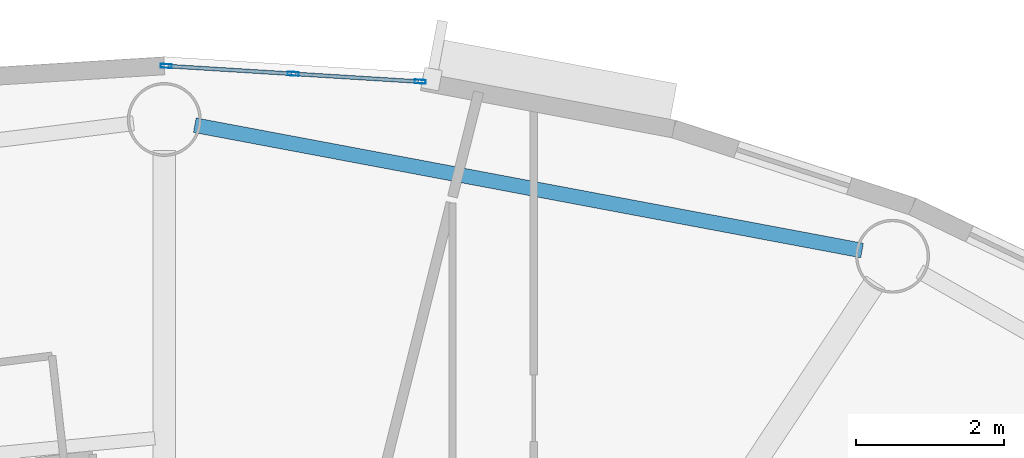
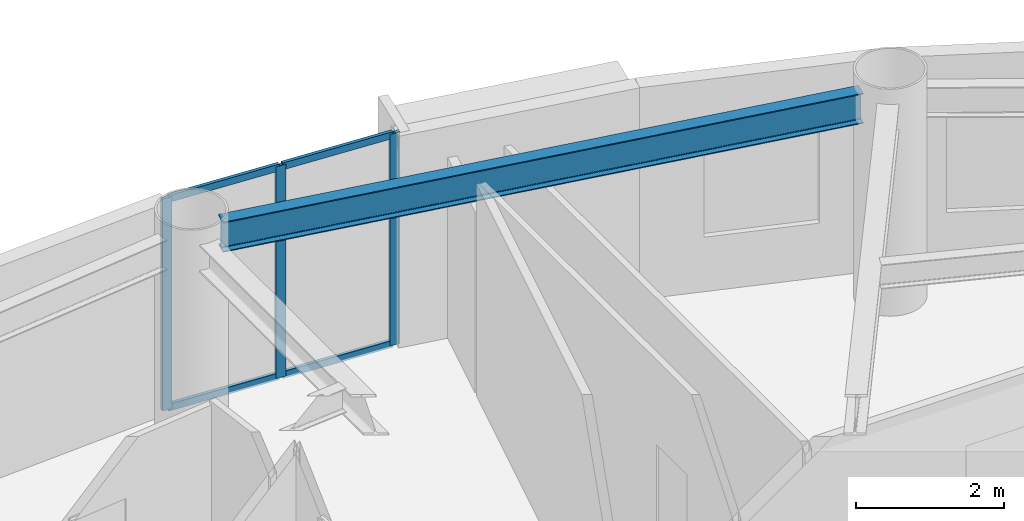
# One storey, part 4 of 17: 7 members, 1 beam, 1 element without a shape of its own.
"""IFC4 building model written with IfcOpenShell, lengths in metres."""

from ifc_helpers import new_model, si_unit, direction, frame, origin, origin_2d, place, context, subcontext, project, spatial, hollow_rectangle, i_section, extrude, source, transform, mapped, material, layer, layer_set, material_profile, profile_set, type_object, element, aggregate, save


model = new_model("IFC4")

# Units and contexts
model_context = context("Model", 3, precision=1e-05, world=origin(), true_north=direction((0.0, 1.0)))
body_context = subcontext(model_context, "Body", "Model", "MODEL_VIEW")
ifc_project = project(units=[si_unit("LENGTHUNIT", "METRE"), si_unit("AREAUNIT", "SQUARE_METRE"), si_unit("VOLUMEUNIT", "CUBIC_METRE"), si_unit("PLANEANGLEUNIT", "RADIAN"), si_unit("MASSUNIT", "GRAM", prefix="KILO")], contexts=[model_context])

# Site, building, storey
site_placement = place(None, origin())
site = spatial("IfcSite", under=ifc_project, at=site_placement, CompositionType="ELEMENT")
building_placement = place(site_placement, origin())
building = spatial("IfcBuilding", under=site, at=building_placement, Name="Linh Dai School and Residence Tower", CompositionType="ELEMENT")
storey_placement = place(building_placement, frame((0.0, 0.0, 299.25)))
storey = spatial("IfcBuildingStorey", under=building, at=storey_placement, Name="L74", CompositionType="ELEMENT", Elevation=299.25)

# Beam
ifc_material_1 = material(Name="Structural Steel S355JR", Category="steel")
ifc_material_profile_1 = material_profile(ifc_material_1, i_section(OverallWidth=0.199951171875, OverallDepth=0.5, WebThickness=0.01025390625, FlangeThickness=0.01611328125, FilletRadius=0.02099609375, at=origin_2d()), Name="IPE 500")
ifc_profile_set_1 = profile_set([ifc_material_profile_1], Name="Structural Steel S355JR")
beam_type = type_object("IfcBeamType", Name="BM-RB50", PredefinedType="BEAM", material=ifc_profile_set_1)
beam_placement = place(storey_placement, frame((45.441650390625, 41.916259765625, 3.25), z_axis=(-0.982805333306, 0.184644731378, 0.0), x_axis=(-0.184644731378, -0.982805333306, 0.0)))
element("IfcBeam", 1, at=beam_placement, inside=storey, type_object=beam_type, Name="L74 Perimeter Elliptical Ring Beam 04", PredefinedType="BEAM", context=body_context, shape_type="SweptSolid", body=[
    extrude(i_section(OverallWidth=0.199951171875, OverallDepth=0.5, WebThickness=0.01025390625, FlangeThickness=0.01611328125, FilletRadius=0.02099609375, at=origin_2d()), origin(), (0.0, 0.0, 1.0), 9.186767578125),
])

# Curtain wall, members
ifc_material_2 = material(Name="Aluminium Anodised Curtain Wall", Category="aluminium")
ifc_layer = layer(ifc_material_2, 0.14990234375)
ifc_layer_set = layer_set([ifc_layer], Name="Aluminium Anodised Curtain Wall")
curtain_wall_type = type_object("IfcCurtainWallType", Name="CW-SYS-4", PredefinedType="USERDEFINED", material=ifc_layer_set)
curtain_wall_placement = place(storey_placement, origin())
curtain_wall = element("IfcCurtainWall", 2, at=curtain_wall_placement, inside=storey, type_object=curtain_wall_type, Name="L74 CW4 Curtain Wall 10", ObjectType="RIBBON CURTAIN WALL", PredefinedType="USERDEFINED")
ifc_material_3 = material(Name="Aluminium Alloy 6063-T6", Category="aluminium")
ifc_material_profile_2 = material_profile(ifc_material_3, hollow_rectangle(XDim=0.052001953125, YDim=0.14990234375, WallThickness=0.00390625, at=origin_2d()), Name="RHS 150x52x4")
ifc_profile_set_2 = profile_set([ifc_material_profile_2], Name="Aluminium Alloy 6063-T6")
member_type_1 = type_object("IfcMemberType", Name="CW-SYS-4-MUL", PredefinedType="MULLION", material=ifc_profile_set_2)
shared_shape_1 = source(origin(), body_context, "Body", "SweptSolid", [
    extrude(hollow_rectangle(XDim=0.052001953125, YDim=0.14990234375, WallThickness=0.00390625, at=origin_2d()), origin(), (0.0, 0.0, 1.0), 3.5),
])
member_1_placement = place(storey_placement, frame((36.02587890625, 44.413330078125, 0.0), z_axis=(0.0, 0.0, 1.0), x_axis=(0.061509965157, 0.998106469364, 0.0)))
member_1 = element("IfcMember", 3, at=member_1_placement, type_object=member_type_1, Name="CW4 mullion 1", PredefinedType="MULLION", context=body_context, shape_type="MappedRepresentation", body=[
    mapped(shared_shape_1, transform((0.0, 0.0, 0.0), x_axis=(1.0, 0.0, 0.0), y_axis=(0.0, 1.0, 0.0), z_axis=(0.0, 0.0, 1.0), scale=1.0)),
])
member_2_placement = place(storey_placement, frame((37.744384765625, 44.3076171875, 0.0), z_axis=(0.0, 0.0, 1.0), x_axis=(0.061509965157, 0.998106469364, 0.0)))
member_2 = element("IfcMember", 4, at=member_2_placement, type_object=member_type_1, Name="CW4 mullion 2", PredefinedType="MULLION", context=body_context, shape_type="MappedRepresentation", body=[
    mapped(shared_shape_1, transform((0.0, 0.0, 0.0), x_axis=(1.0, 0.0, 0.0), y_axis=(0.0, 1.0, 0.0), z_axis=(0.0, 0.0, 1.0), scale=1.0)),
])
member_3_placement = place(storey_placement, frame((39.462890625, 44.20166015625, 0.0), z_axis=(0.0, 0.0, 1.0), x_axis=(0.061509965157, 0.998106469364, 0.0)))
member_3 = element("IfcMember", 5, at=member_3_placement, type_object=member_type_1, Name="CW4 mullion 3", PredefinedType="MULLION", context=body_context, shape_type="MappedRepresentation", body=[
    mapped(shared_shape_1, transform((0.0, 0.0, 0.0), x_axis=(1.0, 0.0, 0.0), y_axis=(0.0, 1.0, 0.0), z_axis=(0.0, 0.0, 1.0), scale=1.0)),
])
ifc_material_profile_3 = material_profile(ifc_material_3, hollow_rectangle(XDim=0.052001953125, YDim=0.114990234375, WallThickness=0.00390625, at=origin_2d()), Name="RHS 115x52x4")
ifc_profile_set_3 = profile_set([ifc_material_profile_3], Name="Aluminium Alloy 6063-T6")
member_type_2 = type_object("IfcMemberType", Name="CW-SYS-4-TRN", PredefinedType="USERDEFINED", material=ifc_profile_set_3)
shared_shape_2 = source(origin(), body_context, "Body", "SweptSolid", [
    extrude(hollow_rectangle(XDim=0.052001953125, YDim=0.114990234375, WallThickness=0.00390625, at=origin_2d()), origin(), (0.0, 0.0, 1.0), 1.669677734375),
])
member_4_placement = place(storey_placement, frame((36.052001953125, 44.411865234375, 0.02587890625), z_axis=(0.99810344795, -0.061558973277, 0.0), x_axis=(0.061558973277, 0.99810344795, 0.0)))
member_4 = element("IfcMember", 6, at=member_4_placement, type_object=member_type_2, Name="CW4 transom 1.1", ObjectType="TRANSOM", PredefinedType="USERDEFINED", context=body_context, shape_type="MappedRepresentation", body=[
    mapped(shared_shape_2, transform((0.0, 0.0, 0.0), x_axis=(1.0, 0.0, 0.0), y_axis=(0.0, 1.0, 0.0), z_axis=(0.0, 0.0, 1.0), scale=1.0)),
])
member_5_placement = place(storey_placement, frame((36.052001953125, 44.411865234375, 3.47412109375), z_axis=(0.99810344795, -0.061558973277, 0.0), x_axis=(0.061558973277, 0.99810344795, 0.0)))
member_5 = element("IfcMember", 7, at=member_5_placement, type_object=member_type_2, Name="CW4 transom 1.2", ObjectType="TRANSOM", PredefinedType="USERDEFINED", context=body_context, shape_type="MappedRepresentation", body=[
    mapped(shared_shape_2, transform((0.0, 0.0, 0.0), x_axis=(1.0, 0.0, 0.0), y_axis=(0.0, 1.0, 0.0), z_axis=(0.0, 0.0, 1.0), scale=1.0)),
])
member_6_placement = place(storey_placement, frame((37.770263671875, 44.305908203125, 0.02587890625), z_axis=(0.99810344795, -0.061558973277, 0.0), x_axis=(0.061558973277, 0.99810344795, 0.0)))
member_6 = element("IfcMember", 8, at=member_6_placement, type_object=member_type_2, Name="CW4 transom 2.1", ObjectType="TRANSOM", PredefinedType="USERDEFINED", context=body_context, shape_type="MappedRepresentation", body=[
    mapped(shared_shape_2, transform((0.0, 0.0, 0.0), x_axis=(1.0, 0.0, 0.0), y_axis=(0.0, 1.0, 0.0), z_axis=(0.0, 0.0, 1.0), scale=1.0)),
])
member_7_placement = place(storey_placement, frame((37.770263671875, 44.305908203125, 3.47412109375), z_axis=(0.99810344795, -0.061558973277, 0.0), x_axis=(0.061558973277, 0.99810344795, 0.0)))
member_7 = element("IfcMember", 9, at=member_7_placement, type_object=member_type_2, Name="CW4 transom 2.2", ObjectType="TRANSOM", PredefinedType="USERDEFINED", context=body_context, shape_type="MappedRepresentation", body=[
    mapped(shared_shape_2, transform((0.0, 0.0, 0.0), x_axis=(1.0, 0.0, 0.0), y_axis=(0.0, 1.0, 0.0), z_axis=(0.0, 0.0, 1.0), scale=1.0)),
])
aggregate(curtain_wall, [member_1, member_2, member_3, member_4, member_5, member_6, member_7])

save(model, "model.ifc")
